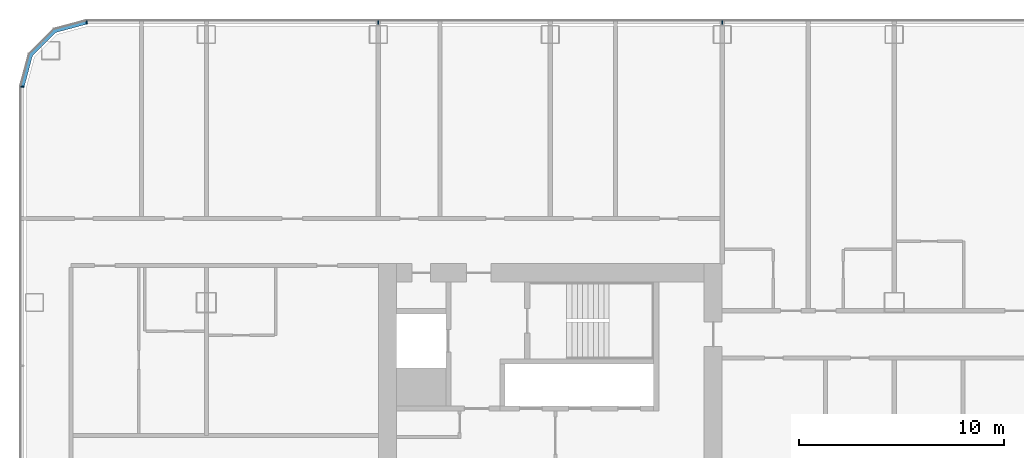
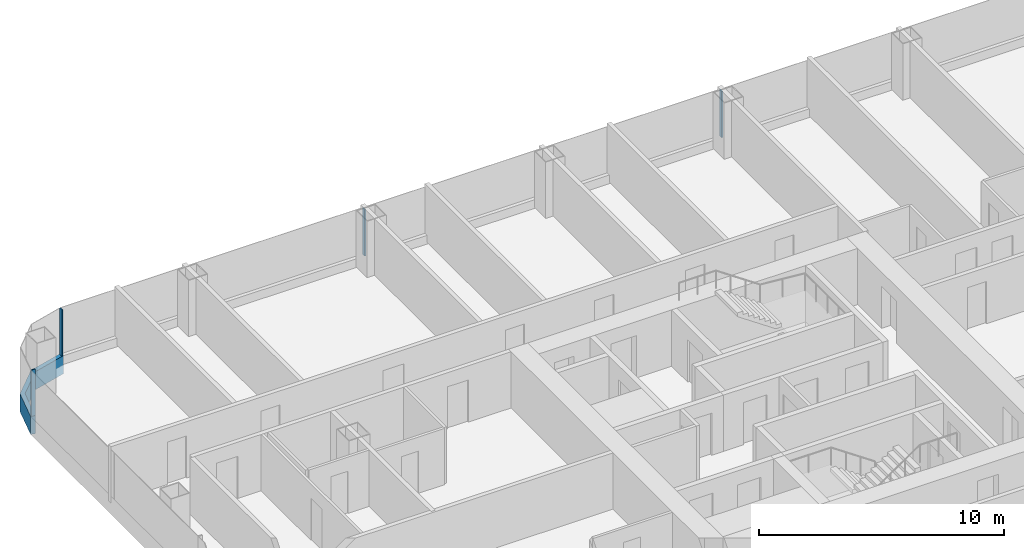
# One storey, part 6 of 29: 5 members, 3 elements without a shape of their own.
"""IFC4 building model written with IfcOpenShell, lengths in metres."""

from ifc_helpers import new_model, si_unit, direction, frame, origin, origin_2d, place, context, subcontext, project, spatial, polyline, rectangle, outline, extrude, material, layer, layer_set, material_profile, profile_set, type_object, element, aggregate, save


model = new_model("IFC4")

# Units and contexts
model_context = context("Model", 3, precision=1e-05, world=origin(), true_north=direction((0.0, 1.0)))
body_context = subcontext(model_context, "Body", "Model", "MODEL_VIEW")
ifc_project = project(units=[si_unit("LENGTHUNIT", "METRE"), si_unit("AREAUNIT", "SQUARE_METRE"), si_unit("VOLUMEUNIT", "CUBIC_METRE"), si_unit("PLANEANGLEUNIT", "RADIAN"), si_unit("MASSUNIT", "GRAM", prefix="KILO")], contexts=[model_context])

# Site, building, storey
site_placement = place(None, origin())
site = spatial("IfcSite", under=ifc_project, at=site_placement, CompositionType="ELEMENT")
building_placement = place(site_placement, origin())
building = spatial("IfcBuilding", under=site, at=building_placement, Name="Hakoniwa Tower and Hamabe Station Hall", CompositionType="ELEMENT")
storey_placement = place(building_placement, frame((0.0, 0.0, 45.39990234375)))
storey = spatial("IfcBuildingStorey", under=building, at=storey_placement, Name="L12", CompositionType="ELEMENT", Elevation=45.39990234375)

# Curtain wall, member
ifc_material_1 = material(Name="Dark low-e laminated glass", Category="glass")
ifc_layer = layer(ifc_material_1, 0.199951171875)
ifc_layer_set = layer_set([ifc_layer], Name="CW-1 UNITISED GUEST")
curtain_wall_type = type_object("IfcCurtainWallType", Name="CW-1 UNITISED GUEST", PredefinedType="NOTDEFINED", material=ifc_layer_set)
curtain_wall_1_placement = place(storey_placement, origin())
curtain_wall_1 = element("IfcCurtainWall", 1, at=curtain_wall_1_placement, inside=storey, type_object=curtain_wall_type, Name="CW-1 curtain wall", PredefinedType="NOTDEFINED")
ifc_material_2 = material(Name="Aluminium 6063-T5 black anodised", Category="aluminium")
ifc_material_profile_1 = material_profile(ifc_material_2, rectangle(XDim=0.199951171875, YDim=0.89990234375, at=origin_2d()), Name="CW SLAB-EDGE BAND 900X200")
ifc_profile_set_1 = profile_set([ifc_material_profile_1], Name="Aluminium 6063-T5 black anodised")
member_type_1 = type_object("IfcMemberType", Name="CW SLAB-EDGE BAND 900X200", PredefinedType="USERDEFINED", material=ifc_profile_set_1)
member_1_placement = place(storey_placement, frame((0.0, 0.0, -0.5498046875)))
member_1 = element("IfcMember", 2, at=member_1_placement, type_object=member_type_1, Name="CW-1 transom", ObjectType="TRANSOM", PredefinedType="USERDEFINED", context=body_context, shape_type="SweptSolid", body=[
    extrude(outline(polyline([(-47.839599609375, 20.300048828125), (-49.455322265625, 19.866943359375), (-50.6669921875, 18.6552734375), (-51.10009765625, 17.03955078125), (-50.90673828125, 16.98779296875), (-50.48779296875, 18.5517578125), (-49.351806640625, 19.687744140625), (-47.787841796875, 20.10693359375), (-47.839599609375, 20.300048828125)])), origin(), (0.0, 0.0, 1.0), 0.89990234375),
])
aggregate(curtain_wall_1, [member_1])

# Curtain wall, members
curtain_wall_2_placement = place(storey_placement, origin())
curtain_wall_2 = element("IfcCurtainWall", 3, at=curtain_wall_2_placement, inside=storey, type_object=curtain_wall_type, Name="CW-1 curtain wall", PredefinedType="NOTDEFINED")
ifc_material_3 = material(Name="Aluminium 6063-T5 black anodised", Category="aluminium")
ifc_material_profile_2 = material_profile(ifc_material_3, rectangle(XDim=0.06005859375, YDim=0.179931640625, at=origin_2d()), Name="CW-1 MULLION 60X180")
ifc_profile_set_2 = profile_set([ifc_material_profile_2], Name="Aluminium 6063-T5 black anodised")
member_type_2 = type_object("IfcMemberType", Name="CW-1 MULLION 60X180", PredefinedType="MULLION", material=ifc_profile_set_2)
member_2_placement = place(storey_placement, frame((-16.800048828125, 20.181884765625, 0.35009765625), z_axis=(0.0, 0.0, 1.0), x_axis=(-1.0, 0.0, 0.0)))
member_2 = element("IfcMember", 4, at=member_2_placement, type_object=member_type_2, Name="CW-1 mullion", PredefinedType="MULLION", context=body_context, shape_type="SweptSolid", body=[
    extrude(rectangle(XDim=0.06005859375, YDim=0.179931640625, at=origin_2d()), origin(), (0.0, 0.0, 1.0), 2.300048828125),
])
member_3_placement = place(storey_placement, frame((-33.60009765625, 20.181884765625, 0.35009765625), z_axis=(0.0, 0.0, 1.0), x_axis=(-1.0, 0.0, 0.0)))
member_3 = element("IfcMember", 5, at=member_3_placement, type_object=member_type_2, Name="CW-1 mullion", PredefinedType="MULLION", context=body_context, shape_type="SweptSolid", body=[
    extrude(rectangle(XDim=0.06005859375, YDim=0.179931640625, at=origin_2d()), origin(), (0.0, 0.0, 1.0), 2.300048828125),
])
member_4_placement = place(storey_placement, frame((-47.839599609375, 20.181884765625, 0.35009765625), z_axis=(0.0, 0.0, 1.0), x_axis=(-1.0, 0.0, 0.0)))
member_4 = element("IfcMember", 6, at=member_4_placement, type_object=member_type_2, Name="CW-1 mullion", PredefinedType="MULLION", context=body_context, shape_type="SweptSolid", body=[
    extrude(rectangle(XDim=0.06005859375, YDim=0.179931640625, at=origin_2d()), origin(), (0.0, 0.0, 1.0), 2.300048828125),
])
aggregate(curtain_wall_2, [member_2, member_3, member_4])

# Curtain wall, member
curtain_wall_3_placement = place(storey_placement, origin())
curtain_wall_3 = element("IfcCurtainWall", 7, at=curtain_wall_3_placement, inside=storey, type_object=curtain_wall_type, Name="CW-1 curtain wall", PredefinedType="NOTDEFINED")
member_5_placement = place(storey_placement, frame((-50.98193359375, 17.03955078125, 0.35009765625), z_axis=(0.0, 0.0, 1.0), x_axis=(0.0, -1.0, 0.0)))
member_5 = element("IfcMember", 8, at=member_5_placement, type_object=member_type_2, Name="CW-1 mullion", PredefinedType="MULLION", context=body_context, shape_type="SweptSolid", body=[
    extrude(rectangle(XDim=0.06005859375, YDim=0.179931640625, at=origin_2d()), origin(), (0.0, 0.0, 1.0), 2.300048828125),
])
aggregate(curtain_wall_3, [member_5])

save(model, "model.ifc")
